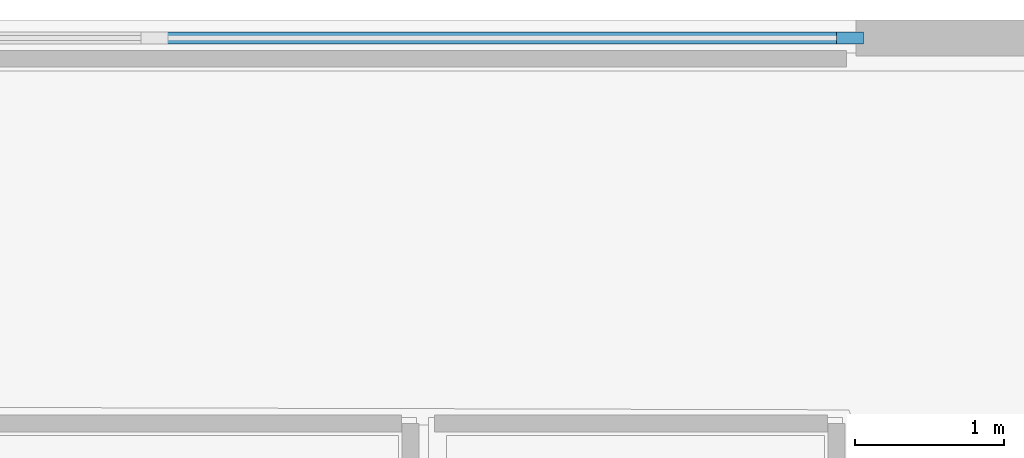
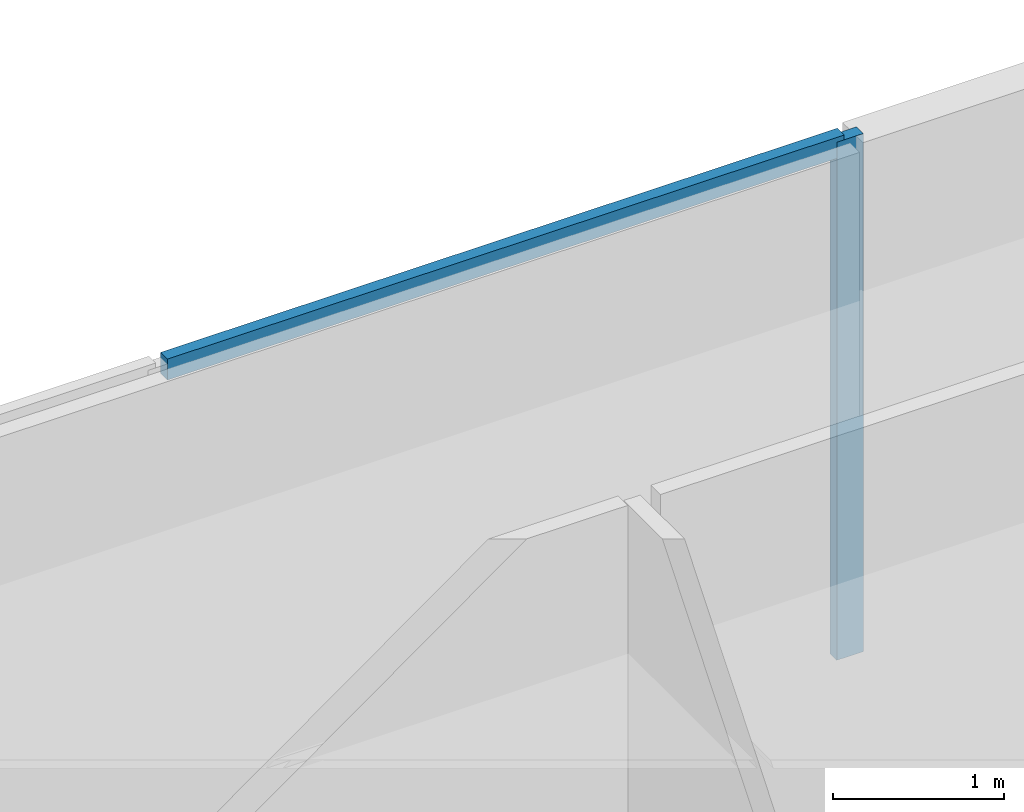
# One storey, part 2 of 8: 2 members, 1 element without a shape of its own.
"""IFC4 building model written with IfcOpenShell, lengths in metres."""

from ifc_helpers import new_model, si_unit, direction, frame, origin, origin_2d, place, context, subcontext, project, spatial, rectangle, extrude, material, layer, layer_set, material_profile, profile_set, type_object, element, aggregate, save


model = new_model("IFC4")

# Units and contexts
model_context = context("Model", 3, precision=1e-05, world=origin(), true_north=direction((0.0, 1.0)))
body_context = subcontext(model_context, "Body", "Model", "MODEL_VIEW")
ifc_project = project(units=[si_unit("LENGTHUNIT", "METRE"), si_unit("AREAUNIT", "SQUARE_METRE"), si_unit("VOLUMEUNIT", "CUBIC_METRE"), si_unit("PLANEANGLEUNIT", "RADIAN"), si_unit("MASSUNIT", "GRAM", prefix="KILO")], contexts=[model_context])

# Site, building, storey
site_placement = place(None, origin())
site = spatial("IfcSite", under=ifc_project, at=site_placement, CompositionType="ELEMENT")
building_placement = place(site_placement, origin())
building = spatial("IfcBuilding", under=site, at=building_placement, Name="Caeloran Harvest Quay", CompositionType="ELEMENT")
storey_placement = place(building_placement, frame((0.0, 0.0, 272.5)))
storey = spatial("IfcBuildingStorey", under=building, at=storey_placement, Name="L65", CompositionType="ELEMENT", Elevation=272.5)

# Curtain wall, members
ifc_material_1 = material(Name="Aluminium 6063-T6 and Low-E Glazing", Category="aluminium")
ifc_layer = layer(ifc_material_1, 0.219970703125, Name="Aluminium 6063-T6 and Low-E Glazing")
ifc_layer_set = layer_set([ifc_layer], Name="Aluminium 6063-T6 and Low-E Glazing")
curtain_wall_type = type_object("IfcCurtainWallType", Name="CW-SYS-CW-5", PredefinedType="USERDEFINED", material=ifc_layer_set)
curtain_wall_placement = place(storey_placement, origin())
curtain_wall = element("IfcCurtainWall", 1, at=curtain_wall_placement, inside=storey, type_object=curtain_wall_type, Name="L65 Unitised Curtain Wall CW-5 Run 6", ObjectType="CURTAIN_WALL", PredefinedType="USERDEFINED")
ifc_material_2 = material(Name="Aluminium 6063-T6", Category="aluminium")
ifc_material_profile_1 = material_profile(ifc_material_2, rectangle(XDim=0.080078125, YDim=0.179931640625, at=origin_2d()), Name="CW-MULLION-180")
ifc_profile_set_1 = profile_set([ifc_material_profile_1], Name="Aluminium 6063-T6")
member_type_1 = type_object("IfcMemberType", Name="CW-MULLION-180", PredefinedType="MULLION", material=ifc_profile_set_1)
member_1_placement = place(storey_placement, frame((30.43994140625, 43.3798828125, 0.0), z_axis=(0.0, 0.0, 1.0), x_axis=(0.0, 1.0, 0.0)))
member_1 = element("IfcMember", 2, at=member_1_placement, type_object=member_type_1, Name="CW-5 mullion 6", PredefinedType="MULLION", context=body_context, shape_type="SweptSolid", body=[
    extrude(rectangle(XDim=0.080078125, YDim=0.179931640625, at=origin_2d()), origin(), (0.0, 0.0, 1.0), 3.699951171875),
])
ifc_material_profile_2 = material_profile(ifc_material_2, rectangle(XDim=0.080078125, YDim=0.14990234375, at=origin_2d()), Name="CW-TRANSOM-150")
ifc_profile_set_2 = profile_set([ifc_material_profile_2], Name="Aluminium 6063-T6")
member_type_2 = type_object("IfcMemberType", Name="CW-TRANSOM-150", PredefinedType="USERDEFINED", material=ifc_profile_set_2)
member_2_placement = place(storey_placement, frame((25.827880859375, 43.3798828125, 3.659912109375), z_axis=(1.0, 0.0, 0.0), x_axis=(0.0, 1.0, 0.0)))
member_2 = element("IfcMember", 3, at=member_2_placement, type_object=member_type_2, Name="CW-5 transom 5.3", ObjectType="TRANSOM", PredefinedType="USERDEFINED", context=body_context, shape_type="SweptSolid", body=[
    extrude(rectangle(XDim=0.080078125, YDim=0.14990234375, at=origin_2d()), origin(), (0.0, 0.0, 1.0), 4.572021484375),
])
aggregate(curtain_wall, [member_1, member_2])

save(model, "model.ifc")
